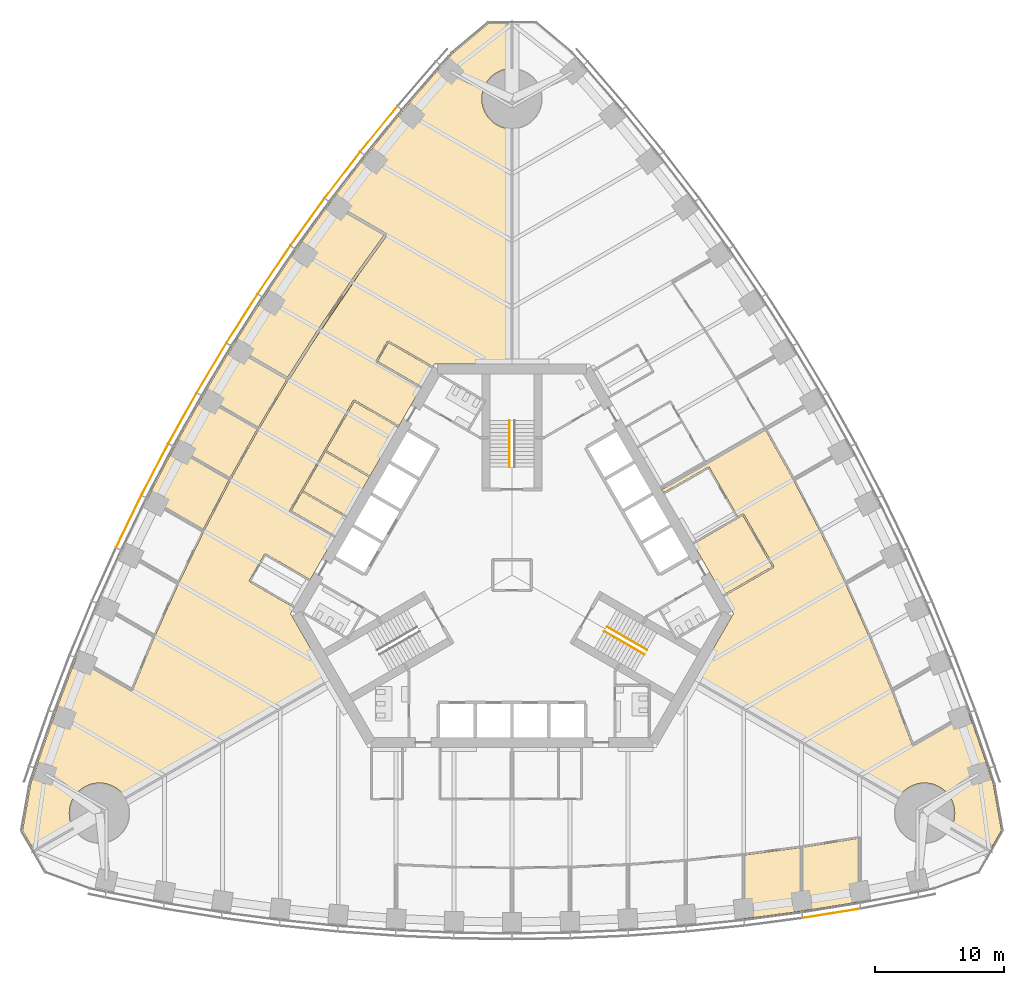
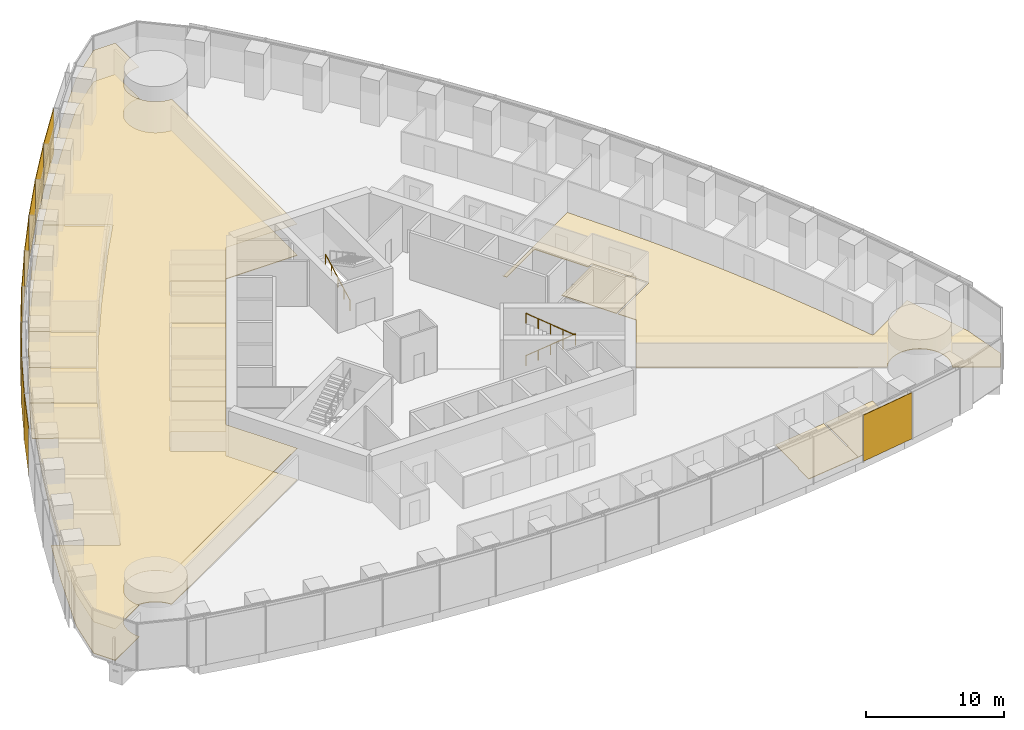
# One storey, part 16 of 19: 14 coverings, 10 shading devices, 3 railings.
"""IFC4 building model written with IfcOpenShell, lengths in metres."""

import ifcopenshell
import ifcopenshell.guid

model = None  # the IFC model being written
_history = None  # IfcOwnerHistory: only IFC2X3 demands one
_inside = {}  # id of a spatial element -> (the spatial element, [elements in it])
_under = {}  # id of a project, library or spatial element -> (it, [spatial elements below it])
_declared = {}  # id of a project -> (the project, [libraries it declares])
_typed = {}  # id of a type object -> (the type object, [elements of that type])
_made_of = {}  # id of a material, layer set ... -> (it, [elements and type objects made of it])


def new_model(schema):
    """Start an empty IFC model of exactly this schema.

    Asked for "IFC4X3", IfcOpenShell would pick the latest addendum, in which some entities
    have other attributes; the version numbers below select the first issue.
    IFC2X3 requires an IfcOwnerHistory on every rooted entity: one is made here for all.
    """
    global model, _history
    if schema == "IFC4X3":
        model = ifcopenshell.file(schema_version=(4, 3, 0, 0))
    else:
        model = ifcopenshell.file(schema=schema)
    _inside.clear()
    _under.clear()
    _declared.clear()
    _typed.clear()
    _made_of.clear()
    _history = None
    if model.schema == "IFC2X3":
        org = make("IfcOrganization", Name="unknown")
        user = make(
            "IfcPersonAndOrganization",
            ThePerson=make("IfcPerson", FamilyName="unknown"),
            TheOrganization=org,
        )
        app = make(
            "IfcApplication",
            ApplicationDeveloper=org,
            Version="unknown",
            ApplicationFullName="unknown",
            ApplicationIdentifier="unknown",
        )
        _history = make(
            "IfcOwnerHistory",
            OwningUser=user,
            OwningApplication=app,
            ChangeAction="ADDED",
            CreationDate=0,
        )
    return model


def make(cls, **values):
    """One entity of the class cls with the attributes given. An attribute that is None is left unset."""
    return model.create_entity(
        cls, **{name: value for name, value in values.items() if value is not None}
    )


def rooted(cls, **values):
    """An entity with a GlobalId (a new one), such as an element, a storey or a relation."""
    return make(cls, GlobalId=ifcopenshell.guid.new(), OwnerHistory=_history, **values)


def si_unit(unit_type, name, prefix=None):
    """IfcSIUnit, for example si_unit("LENGTHUNIT", "METRE", prefix="MILLI")."""
    return make("IfcSIUnit", UnitType=unit_type, Prefix=prefix, Name=name)


def assignment(units):
    """IfcUnitAssignment: the units of a project."""
    return None if units is None else make("IfcUnitAssignment", Units=units)


def point(xyz):
    """IfcCartesianPoint."""
    return None if xyz is None else make("IfcCartesianPoint", Coordinates=xyz)


def direction(xyz):
    """IfcDirection."""
    return None if xyz is None else make("IfcDirection", DirectionRatios=xyz)


def frame(location, z_axis=None, x_axis=None):
    """IfcAxis2Placement3D, a coordinate frame: its origin and axes. An axis left out is left unset."""
    return make(
        "IfcAxis2Placement3D",
        Location=point(location),
        Axis=direction(z_axis),
        RefDirection=direction(x_axis),
    )


def frame_2d(location, x_axis=None):
    """IfcAxis2Placement2D, a coordinate frame in the plane: its origin and x axis."""
    return make(
        "IfcAxis2Placement2D", Location=point(location), RefDirection=direction(x_axis)
    )


def origin():
    """The frame at (0, 0, 0) with its axes left unset."""
    return frame((0.0, 0.0, 0.0))


def origin_2d():
    """The frame at (0, 0) in the plane with its x axis left unset."""
    return frame_2d((0.0, 0.0))


def place(relative_to, where):
    """IfcLocalPlacement: puts the frame where relative to a parent placement (None: the world)."""
    return make(
        "IfcLocalPlacement", PlacementRelTo=relative_to, RelativePlacement=where
    )


def context(
    kind, dimensions, precision=None, world=None, true_north=None, identifier=None
):
    """IfcGeometricRepresentationContext, for example the 3D "Model" context."""
    return make(
        "IfcGeometricRepresentationContext",
        ContextIdentifier=identifier,
        ContextType=kind,
        CoordinateSpaceDimension=dimensions,
        Precision=precision,
        WorldCoordinateSystem=world,
        TrueNorth=true_north,
    )


def subcontext(parent, identifier, kind, view, scale=None):
    """IfcGeometricRepresentationSubContext, for example "Body" below "Model"."""
    return make(
        "IfcGeometricRepresentationSubContext",
        ContextIdentifier=identifier,
        ContextType=kind,
        ParentContext=parent,
        TargetScale=scale,
        TargetView=view,
    )


def project(units=None, contexts=None):
    """IfcProject with its units and contexts."""
    return rooted(
        "IfcProject",
        Name="project",
        RepresentationContexts=contexts,
        UnitsInContext=assignment(units),
    )


def spatial(cls, under=None, at=None, **own):
    """A site, building, storey or space (cls), placed at a placement, below another one or the project."""
    s = rooted(cls, ObjectPlacement=at, **own)
    if under is not None:
        _under.setdefault(under.id(), (under, []))[1].append(s)
    return s


def polyline(points):
    """IfcPolyline through the points."""
    return make("IfcPolyline", Points=[point(p) for p in points])


def profile(cls, at=None, kind="AREA", **sizes):
    """A parametric profile (cls). Its sizes go by their IFC names, for example OverallWidth=200.0."""
    return make(cls, ProfileType=kind, Position=at, **sizes)


def rectangle(**sizes):
    """IfcRectangleProfileDef."""
    return profile("IfcRectangleProfileDef", **sizes)


def circle(**sizes):
    """IfcCircleProfileDef."""
    return profile("IfcCircleProfileDef", **sizes)


def outline(outer, holes=None, kind="AREA"):
    """IfcArbitraryClosedProfileDef: a profile drawn as a closed curve; with holes, ...WithVoids."""
    if holes is None:
        return make("IfcArbitraryClosedProfileDef", ProfileType=kind, OuterCurve=outer)
    return make(
        "IfcArbitraryProfileDefWithVoids",
        ProfileType=kind,
        OuterCurve=outer,
        InnerCurves=holes,
    )


def extrude(swept, where, along, depth):
    """IfcExtrudedAreaSolid: the profile swept, set in the frame where, extruded along a direction by depth."""
    return make(
        "IfcExtrudedAreaSolid",
        SweptArea=swept,
        Position=where,
        ExtrudedDirection=direction(along),
        Depth=depth,
    )


def shape(context_of_items, identifier, shape_type, items):
    """IfcShapeRepresentation: the items that make up one representation, for example the "Body"."""
    return make(
        "IfcShapeRepresentation",
        ContextOfItems=context_of_items,
        RepresentationIdentifier=identifier,
        RepresentationType=shape_type,
        Items=items,
    )


def material(Name=None, Category=None):
    """IfcMaterial."""
    return make("IfcMaterial", Name=Name, Category=Category)


def layer(
    of_material, thickness, ventilated=None, Name=None, Category=None, Priority=None
):
    """IfcMaterialLayer: one layer of a wall or slab, of a material (None: an air gap)."""
    return make(
        "IfcMaterialLayer",
        Material=of_material,
        LayerThickness=thickness,
        IsVentilated=ventilated,
        Name=Name,
        Category=Category,
        Priority=Priority,
    )


def layer_set(layers, Name=None):
    """IfcMaterialLayerSet."""
    return make("IfcMaterialLayerSet", MaterialLayers=layers, LayerSetName=Name)


def made_of(thing, what):
    """Note that an element or type object is made of a material, layer set ...; save() writes the relation."""
    if what is not None:
        _made_of.setdefault(what.id(), (what, []))[1].append(thing)
    return thing


def type_object(cls, material=None, **own):
    """A type object (cls), such as IfcWallType, which elements share."""
    return made_of(rooted(cls, **own), material)


def element(
    cls,
    number,
    at=None,
    inside=None,
    cuts=None,
    type_object=None,
    material=None,
    context=None,
    identifier="Body",
    shape_type=None,
    held_by="IfcProductDefinitionShape",
    body=None,
    shapes=None,
    **own,
):
    """One element of the class cls, such as IfcWall. Its Tag is "e" and its number.

    at: its placement. inside: the storey or other place that contains it. cuts: it is an
    opening in that element (IfcRelVoidsElement). A single representation is given by context,
    identifier, shape_type and body (its items); several are given by shapes. held_by: the class
    of the entity that holds the representations. save() writes the other relations.
    """
    e = rooted(cls, Tag="e%d" % number, ObjectPlacement=at, **own)
    if body is not None:
        shapes = [shape(context, identifier, shape_type, body)]
    if shapes is not None:
        e.Representation = make(held_by, Representations=shapes)
    if inside is not None:
        _inside.setdefault(inside.id(), (inside, []))[1].append(e)
    if cuts is not None:
        rooted(
            "IfcRelVoidsElement", RelatingBuildingElement=cuts, RelatedOpeningElement=e
        )
    if type_object is not None:
        _typed.setdefault(type_object.id(), (type_object, []))[1].append(e)
    return made_of(e, material)


def aggregate(whole, parts):
    """IfcRelAggregates: a whole, such as a stair, and the parts it consists of."""
    return rooted("IfcRelAggregates", RelatingObject=whole, RelatedObjects=parts)


def save(model, path):
    """Write the relations noted so far, then the file.

    IfcRelAggregates (storeys below a building ...), IfcRelContainedInSpatialStructure (elements
    in a storey), IfcRelDefinesByType, IfcRelAssociatesMaterial and IfcRelDeclares: one each for
    every whole, place, type object, material and project.
    """
    for whole, parts in _under.values():
        aggregate(whole, parts)
    for where, things in _inside.values():
        rooted(
            "IfcRelContainedInSpatialStructure",
            RelatedElements=things,
            RelatingStructure=where,
        )
    for kind, things in _typed.values():
        rooted("IfcRelDefinesByType", RelatedObjects=things, RelatingType=kind)
    for what, things in _made_of.values():
        rooted("IfcRelAssociatesMaterial", RelatedObjects=things, RelatingMaterial=what)
    for by, libraries in _declared.values():
        rooted("IfcRelDeclares", RelatingContext=by, RelatedDefinitions=libraries)
    model.write(path)


model = new_model("IFC4")

# Units and contexts
model_context = context("Model", 3, precision=1e-05, world=origin(), true_north=direction((0.0, 1.0)))
body_context = subcontext(model_context, "Body", "Model", "MODEL_VIEW")
ifc_project = project(units=[si_unit("LENGTHUNIT", "METRE"), si_unit("AREAUNIT", "SQUARE_METRE"), si_unit("VOLUMEUNIT", "CUBIC_METRE"), si_unit("PLANEANGLEUNIT", "RADIAN"), si_unit("MASSUNIT", "GRAM", prefix="KILO")], contexts=[model_context])

# Site, building, storey
site_placement = place(None, origin())
site = spatial("IfcSite", under=ifc_project, at=site_placement, CompositionType="ELEMENT")
building_placement = place(site_placement, origin())
building = spatial("IfcBuilding", under=site, at=building_placement, Name="Trefoil Bronze Tower", CompositionType="ELEMENT")
storey_placement = place(building_placement, frame((0.0, 0.0, 20.699951171875)))
storey = spatial("IfcBuildingStorey", under=building, at=storey_placement, Name="L04", CompositionType="ELEMENT", Elevation=20.699951171875)

# Shading devices
ifc_material_1 = material(Name="Perforated bronze sheet", Category="bronze")
ifc_layer_1 = layer(ifc_material_1, 0.0400390625)
ifc_layer_set_1 = layer_set([ifc_layer_1], Name="Bronze solar screen panel")
shading_device_type = type_object("IfcShadingDeviceType", Name="Bronze solar screen panel", PredefinedType="SHUTTER", material=ifc_layer_set_1)
for number, where, z_axis, x_axis, name in (
    (1, (24.836181640625, -26.277099609375, 0.050048828125), (0.0, 0.0, 1.0), (0.987181315145, 0.159602791421, 0.0), "Solar screen CW-A L04 F1 bay 14"),
    (2, (-10.338623046875, 34.6474609375, 0.050048828125), (0.0, 0.0, 1.0), (-0.631810729457, -0.775122701346, 0.0), "Solar screen CW-A L04 F3 bay 3"),
):
    element("IfcShadingDevice", number, at=place(storey_placement, frame(where, z_axis=z_axis, x_axis=x_axis)), inside=storey, type_object=shading_device_type, Name=name, PredefinedType="SHUTTER", context=body_context, shape_type="SweptSolid", body=[
        extrude(rectangle(XDim=4.5283203125, YDim=0.0400390625, at=origin_2d()), origin(), (0.0, 0.0, 1.0), 4.10009765625),
    ])
shading_device_1_placement = place(storey_placement, frame((-13.170166015625, 31.06787109375, 0.050048828125), z_axis=(0.0, 0.0, 1.0), x_axis=(-0.608807670879, -0.793317855515, 0.0)))
element("IfcShadingDevice", 3, at=shading_device_1_placement, inside=storey, type_object=shading_device_type, Name="Solar screen CW-A L04 F3 bay 4", PredefinedType="SHUTTER", context=body_context, shape_type="SweptSolid", body=[
    extrude(rectangle(XDim=4.5087890625, YDim=0.0400390625, at=origin_2d()), origin(), (0.0, 0.0, 1.0), 4.10009765625),
])
shading_device_2_placement = place(storey_placement, frame((-15.88525390625, 27.421142578125, 0.050048828125), z_axis=(0.0, 0.0, 1.0), x_axis=(-0.585372522213, -0.810764460394, 0.0)))
element("IfcShadingDevice", 4, at=shading_device_2_placement, inside=storey, type_object=shading_device_type, Name="Solar screen CW-A L04 F3 bay 5", PredefinedType="SHUTTER", context=body_context, shape_type="SweptSolid", body=[
    extrude(rectangle(XDim=4.493408203125, YDim=0.0400390625, at=origin_2d()), origin(), (0.0, 0.0, 1.0), 4.10009765625),
])
shading_device_3_placement = place(storey_placement, frame((-18.48486328125, 23.707763671875, 0.050048828125), z_axis=(0.0, 0.0, 1.0), x_axis=(-0.56150968077, -0.827470167681, 0.0)))
element("IfcShadingDevice", 5, at=shading_device_3_placement, inside=storey, type_object=shading_device_type, Name="Solar screen CW-A L04 F3 bay 6", PredefinedType="SHUTTER", context=body_context, shape_type="SweptSolid", body=[
    extrude(rectangle(XDim=4.48193359375, YDim=0.0400390625, at=origin_2d()), origin(), (0.0, 0.0, 1.0), 4.10009765625),
])
shading_device_4_placement = place(storey_placement, frame((-20.97021484375, 19.928466796875, 0.050048828125), z_axis=(0.0, 0.0, 1.0), x_axis=(-0.537222392469, -0.843440632783, 0.0)))
element("IfcShadingDevice", 6, at=shading_device_4_placement, inside=storey, type_object=shading_device_type, Name="Solar screen CW-A L04 F3 bay 7", PredefinedType="SHUTTER", context=body_context, shape_type="SweptSolid", body=[
    extrude(rectangle(XDim=4.474365234375, YDim=0.0400390625, at=origin_2d()), origin(), (0.0, 0.0, 1.0), 4.10009765625),
])
for number, where, z_axis, x_axis, name in (
    (7, (-23.341552734375, 16.083251953125, 0.050048828125), (0.0, 0.0, 1.0), (-0.51251279404, -0.858679588639, 0.0), "Solar screen CW-A L04 F3 bay 8"),
    (8, (-25.599365234375, 12.172607421875, 0.050048828125), (0.0, 0.0, 1.0), (-0.487381940453, -0.873188893722, 0.0), "Solar screen CW-A L04 F3 bay 9"),
):
    element("IfcShadingDevice", number, at=place(storey_placement, frame(where, z_axis=z_axis, x_axis=x_axis)), inside=storey, type_object=shading_device_type, Name=name, PredefinedType="SHUTTER", context=body_context, shape_type="SweptSolid", body=[
        extrude(rectangle(XDim=4.470458984375, YDim=0.0400390625, at=origin_2d()), origin(), (0.0, 0.0, 1.0), 4.10009765625),
    ])
shading_device_5_placement = place(storey_placement, frame((-27.74365234375, 8.1962890625, 0.050048828125), z_axis=(0.0, 0.0, 1.0), x_axis=(-0.46182981834, -0.886968555752, 0.0)))
element("IfcShadingDevice", 9, at=shading_device_5_placement, inside=storey, type_object=shading_device_type, Name="Solar screen CW-A L04 F3 bay 10", PredefinedType="SHUTTER", context=body_context, shape_type="SweptSolid", body=[
    extrude(rectangle(XDim=4.474365234375, YDim=0.0400390625, at=origin_2d()), origin(), (0.0, 0.0, 1.0), 4.10009765625),
])
shading_device_6_placement = place(storey_placement, frame((-29.77392578125, 4.154541015625, 0.050048828125), z_axis=(0.0, 0.0, 1.0), x_axis=(-0.4358553457, -0.900016731858, 0.0)))
element("IfcShadingDevice", 10, at=shading_device_6_placement, inside=storey, type_object=shading_device_type, Name="Solar screen CW-A L04 F3 bay 11", PredefinedType="SHUTTER", context=body_context, shape_type="SweptSolid", body=[
    extrude(rectangle(XDim=4.48193359375, YDim=0.0400390625, at=origin_2d()), origin(), (0.0, 0.0, 1.0), 4.10009765625),
])

# Railings
ifc_material_2 = material(Name="Steel handrail", Category="steel")
railing_type = type_object("IfcRailingType", Name="Handrail 900", PredefinedType="HANDRAIL", material=ifc_material_2)
railing_1_placement = place(storey_placement, frame((7.365966796875, -4.021728515625, 0.16162109375)))
element("IfcRailing", 11, at=railing_1_placement, inside=storey, type_object=railing_type, Name="Handrail ST1 flight 1 L04", PredefinedType="HANDRAIL", context=body_context, shape_type="SweptSolid", body=[
    extrude(circle(Radius=0.02392578125, at=origin_2d()), frame((0.0, 0.0, 0.8759765625), z_axis=(0.76250339821, -0.440245697338, 0.474101564745), x_axis=(0.500012057535, 0.866018442252, 0.0)), (0.0, 0.0, 1.0), 4.088623046875),
    extrude(circle(Radius=0.02099609375, at=origin_2d()), origin(), (0.0, 0.0, 1.0), 0.851806640625),
    extrude(circle(Radius=0.02099609375, at=origin_2d()), frame((0.779296875, -0.449951171875, 0.484619140625)), (0.0, 0.0, 1.0), 0.851806640625),
    extrude(circle(Radius=0.02099609375, at=origin_2d()), frame((1.558837890625, -0.89990234375, 0.96923828125)), (0.0, 0.0, 1.0), 0.851806640625),
    extrude(circle(Radius=0.02099609375, at=origin_2d()), frame((2.33837890625, -1.35009765625, 1.453857421875)), (0.0, 0.0, 1.0), 0.851806640625),
    extrude(circle(Radius=0.02099609375, at=origin_2d()), frame((3.11767578125, -1.800048828125, 1.9384765625)), (0.0, 0.0, 1.0), 0.851806640625),
])
railing_2_placement = place(storey_placement, frame((10.28369140625, -6.168212890625, 2.261474609375)))
element("IfcRailing", 12, at=railing_2_placement, inside=storey, type_object=railing_type, Name="Handrail ST1 flight 2 L04", PredefinedType="HANDRAIL", context=body_context, shape_type="SweptSolid", body=[
    extrude(circle(Radius=0.02392578125, at=origin_2d()), frame((0.0, 0.0, 0.8759765625), z_axis=(-0.76250339821, 0.440245697338, 0.474101564745), x_axis=(-0.500012057535, -0.866018442252, 0.0)), (0.0, 0.0, 1.0), 4.088623046875),
    extrude(circle(Radius=0.02099609375, at=origin_2d()), origin(), (0.0, 0.0, 1.0), 0.851806640625),
    extrude(circle(Radius=0.02099609375, at=origin_2d()), frame((-0.779296875, 0.449951171875, 0.484619140625)), (0.0, 0.0, 1.0), 0.851806640625),
    extrude(circle(Radius=0.02099609375, at=origin_2d()), frame((-1.558837890625, 0.89990234375, 0.96923828125)), (0.0, 0.0, 1.0), 0.851806640625),
    extrude(circle(Radius=0.02099609375, at=origin_2d()), frame((-2.33837890625, 1.35009765625, 1.453857421875)), (0.0, 0.0, 1.0), 0.851806640625),
    extrude(circle(Radius=0.02099609375, at=origin_2d()), frame((-3.11767578125, 1.800048828125, 1.9384765625)), (0.0, 0.0, 1.0), 0.851806640625),
])
railing_3_placement = place(storey_placement, frame((-0.199951171875, 8.389892578125, 0.16162109375)))
element("IfcRailing", 13, at=railing_3_placement, inside=storey, type_object=railing_type, Name="Handrail ST2 flight 1 L04", PredefinedType="HANDRAIL", context=body_context, shape_type="SweptSolid", body=[
    extrude(circle(Radius=0.02392578125, at=origin_2d()), frame((0.0, 0.0, 0.8759765625), z_axis=(0.0, 0.880474934443, 0.474092701714), x_axis=(-1.0, 0.0, 0.0)), (0.0, 0.0, 1.0), 4.0888671875),
    extrude(circle(Radius=0.02099609375, at=origin_2d()), origin(), (0.0, 0.0, 1.0), 0.851806640625),
    extrude(circle(Radius=0.02099609375, at=origin_2d()), frame((0.0, 0.89990234375, 0.484619140625)), (0.0, 0.0, 1.0), 0.851806640625),
    extrude(circle(Radius=0.02099609375, at=origin_2d()), frame((0.0, 1.800048828125, 0.96923828125)), (0.0, 0.0, 1.0), 0.851806640625),
    extrude(circle(Radius=0.02099609375, at=origin_2d()), frame((0.0, 2.7001953125, 1.453857421875)), (0.0, 0.0, 1.0), 0.851806640625),
    extrude(circle(Radius=0.02099609375, at=origin_2d()), frame((0.0, 3.60009765625, 1.9384765625)), (0.0, 0.0, 1.0), 0.851806640625),
])

# Coverings
ifc_material_3 = material(Name="Acoustic ceiling panels", Category="mineral fibre")
ifc_layer_2 = layer(ifc_material_3, 0.02001953125)
ifc_layer_set_2 = layer_set([ifc_layer_2], Name="Office ceiling 20")
covering_type_1 = type_object("IfcCoveringType", Name="Office ceiling 20", PredefinedType="CEILING", material=ifc_layer_set_2)
covering_1_placement = place(storey_placement, frame((0.0, 0.0, 2.900146484375)))
element("IfcCovering", 14, at=covering_1_placement, inside=storey, type_object=covering_type_1, Name="Ceiling L04 Open-plan office F3", PredefinedType="CEILING", context=body_context, shape_type="SweptSolid", body=[
    extrude(outline(polyline([(-36.9814453125, -15.021728515625), (-35.47998046875, -10.6923828125), (-33.860107421875, -6.431640625), (-32.123291015625, -2.23828125), (-30.271240234375, 1.888671875), (-28.3046875, 5.949462890625), (-26.224609375, 9.944580078125), (-24.031005859375, 13.87451171875), (-21.724609375, 17.73876953125), (-19.3046875, 21.537841796875), (-16.771240234375, 25.271484375), (-14.123291015625, 28.938720703125), (-11.360107421875, 32.53955078125), (-8.47998046875, 36.072998046875), (-5.4814453125, 39.537841796875), (-4.618896484375, 40.497314453125), (-1.82421875, 42.84228515625), (-0.01611328125, 42.84228515625), (-0.014892578125, 39.349609375), (-0.115234375, 39.34716796875), (-0.230224609375, 39.338623046875), (-0.3447265625, 39.32470703125), (-0.45849609375, 39.3046875), (-0.571044921875, 39.279541015625), (-0.68212890625, 39.248779296875), (-0.791748046875, 39.212646484375), (-0.8994140625, 39.171142578125), (-1.0048828125, 39.12451171875), (-1.10791015625, 39.072509765625), (-1.2080078125, 39.015625), (-1.3056640625, 38.9541015625), (-1.39990234375, 38.887451171875), (-1.49072265625, 38.816650390625), (-1.578125, 38.7412109375), (-1.66162109375, 38.66162109375), (-1.7412109375, 38.578125), (-1.816650390625, 38.49072265625), (-1.887451171875, 38.39990234375), (-1.9541015625, 38.3056640625), (-2.015625, 38.2080078125), (-2.072509765625, 38.10791015625), (-2.12451171875, 38.0048828125), (-2.171142578125, 37.8994140625), (-2.212646484375, 37.791748046875), (-2.248779296875, 37.68212890625), (-2.279541015625, 37.571044921875), (-2.3046875, 37.45849609375), (-2.32470703125, 37.3447265625), (-2.338623046875, 37.230224609375), (-2.34716796875, 37.115234375), (-2.35009765625, 37.0), (-2.34716796875, 36.884765625), (-2.338623046875, 36.769775390625), (-2.32470703125, 36.6552734375), (-2.3046875, 36.54150390625), (-2.279541015625, 36.428955078125), (-2.248779296875, 36.31787109375), (-2.212646484375, 36.208251953125), (-2.171142578125, 36.1005859375), (-2.12451171875, 35.9951171875), (-2.072509765625, 35.89208984375), (-2.015625, 35.7919921875), (-1.9541015625, 35.6943359375), (-1.887451171875, 35.60009765625), (-1.816650390625, 35.50927734375), (-1.7412109375, 35.421875), (-1.66162109375, 35.33837890625), (-1.578125, 35.2587890625), (-1.49072265625, 35.183349609375), (-1.39990234375, 35.112548828125), (-1.3056640625, 35.0458984375), (-1.2080078125, 34.984375), (-1.10791015625, 34.927490234375), (-1.0048828125, 34.87548828125), (-0.8994140625, 34.828857421875), (-0.791748046875, 34.787353515625), (-0.68212890625, 34.751220703125), (-0.571044921875, 34.720458984375), (-0.45849609375, 34.6953125), (-0.3447265625, 34.67529296875), (-0.230224609375, 34.661376953125), (-0.115234375, 34.65283203125), (-0.012939453125, 34.650390625), (-0.006103515625, 16.39990234375), (-6.00439453125, 16.39990234375), (-17.205078125, -3.0), (-14.205810546875, -8.194580078125), (-30.0146484375, -17.31396484375), (-30.02734375, -17.2919921875), (-30.089111328125, -17.1943359375), (-30.155517578125, -17.10009765625), (-30.226318359375, -17.00927734375), (-30.3017578125, -16.921875), (-30.381103515625, -16.83837890625), (-30.46484375, -16.7587890625), (-30.552001953125, -16.683349609375), (-30.64306640625, -16.612548828125), (-30.7373046875, -16.5458984375), (-30.834716796875, -16.484375), (-30.935302734375, -16.427490234375), (-31.0380859375, -16.37548828125), (-31.1435546875, -16.328857421875), (-31.251220703125, -16.287353515625), (-31.36083984375, -16.251220703125), (-31.471923828125, -16.220458984375), (-31.58447265625, -16.1953125), (-31.697998046875, -16.17529296875), (-31.8125, -16.161376953125), (-31.927490234375, -16.15283203125), (-32.04296875, -16.14990234375), (-32.158203125, -16.15283203125), (-32.273193359375, -16.161376953125), (-32.3876953125, -16.17529296875), (-32.50146484375, -16.1953125), (-32.614013671875, -16.220458984375), (-32.72509765625, -16.251220703125), (-32.834716796875, -16.287353515625), (-32.942138671875, -16.328857421875), (-33.047607421875, -16.37548828125), (-33.150634765625, -16.427490234375), (-33.251220703125, -16.484375), (-33.348388671875, -16.5458984375), (-33.44287109375, -16.612548828125), (-33.53369140625, -16.683349609375), (-33.62109375, -16.7587890625), (-33.70458984375, -16.83837890625), (-33.7841796875, -16.921875), (-33.859619140625, -17.00927734375), (-33.930419921875, -17.10009765625), (-33.996826171875, -17.1943359375), (-34.05859375, -17.2919921875), (-34.115478515625, -17.39208984375), (-34.167236328125, -17.4951171875), (-34.214111328125, -17.6005859375), (-34.255615234375, -17.708251953125), (-34.291748046875, -17.81787109375), (-34.322509765625, -17.928955078125), (-34.347900390625, -18.04150390625), (-34.367431640625, -18.1552734375), (-34.381591796875, -18.269775390625), (-34.39013671875, -18.384765625), (-34.392822265625, -18.5), (-34.39013671875, -18.615234375), (-34.381591796875, -18.730224609375), (-34.367431640625, -18.8447265625), (-34.347900390625, -18.95849609375), (-34.322509765625, -19.071044921875), (-34.291748046875, -19.18212890625), (-34.255615234375, -19.291748046875), (-34.214111328125, -19.3994140625), (-34.167236328125, -19.5048828125), (-34.115478515625, -19.60791015625), (-34.084716796875, -19.661865234375), (-37.110595703125, -21.4072265625), (-38.0146484375, -19.841552734375), (-37.381103515625, -16.248779296875), (-36.9814453125, -15.021728515625)])), origin(), (0.0, 0.0, 1.0), 0.02001953125),
])
ifc_material_4 = material(Name="Raised access floor panels", Category="steel")
ifc_layer_3 = layer(ifc_material_4, 0.050048828125)
ifc_layer_set_3 = layer_set([ifc_layer_3], Name="Raised access floor 150")
covering_type_2 = type_object("IfcCoveringType", Name="Raised access floor 150", PredefinedType="FLOORING", material=ifc_layer_set_3)
covering_2_placement = place(storey_placement, frame((0.0, 0.0, 0.10009765625)))
element("IfcCovering", 15, at=covering_2_placement, inside=storey, type_object=covering_type_2, Name="Raised floor L04 Office F1", PredefinedType="FLOORING", context=body_context, shape_type="SweptSolid", body=[
    extrude(outline(polyline([(22.5, -26.10791015625), (18.0, -26.70068359375), (18.0, -25.10986328125), (18.06005859375, -25.10986328125), (18.06005859375, -21.753173828125), (22.43994140625, -21.17626953125), (22.43994140625, -24.510986328125), (22.5, -24.510986328125), (22.5, -26.10791015625)])), origin(), (0.0, 0.0, 1.0), 0.050048828125),
])
covering_3_placement = place(storey_placement, frame((0.0, 0.0, 0.10009765625)))
element("IfcCovering", 16, at=covering_3_placement, inside=storey, type_object=covering_type_2, Name="Raised floor L04 Office F1", PredefinedType="FLOORING", context=body_context, shape_type="SweptSolid", body=[
    extrude(outline(polyline([(27.0, -25.38037109375), (22.5, -26.10791015625), (22.5, -24.510986328125), (22.56005859375, -24.510986328125), (22.56005859375, -21.158935546875), (26.93994140625, -20.45068359375), (26.93994140625, -23.77587890625), (27.0, -23.77587890625), (27.0, -25.38037109375)])), origin(), (0.0, 0.0, 1.0), 0.050048828125),
])
covering_4_placement = place(storey_placement, frame((0.0, 0.0, 0.10009765625)))
element("IfcCovering", 17, at=covering_4_placement, inside=storey, type_object=covering_type_2, Name="Raised floor L04 Reception F2", PredefinedType="FLOORING", context=body_context, shape_type="SweptSolid", body=[
    extrude(outline(polyline([(14.084716796875, 2.404541015625), (17.929931640625, 4.62451171875), (20.219970703125, 0.658203125), (16.374755859375, -1.56201171875), (14.084716796875, 2.404541015625)])), origin(), (0.0, 0.0, 1.0), 0.050048828125),
])
covering_5_placement = place(storey_placement, frame((0.0, 0.0, 0.10009765625)))
element("IfcCovering", 18, at=covering_5_placement, inside=storey, type_object=covering_type_2, Name="Raised floor L04 Open-plan office F2", PredefinedType="FLOORING", context=body_context, shape_type="SweptSolid", body=[
    extrude(outline(polyline([(16.434814453125, -1.665771484375), (20.331787109375, 0.584228515625), (20.302001953125, 0.63623046875), (20.353759765625, 0.666259765625), (18.00390625, 4.736572265625), (17.951904296875, 4.70654296875), (17.921875, 4.75830078125), (17.540771484375, 4.538330078125), (15.32080078125, 8.383544921875), (15.268798828125, 8.353515625), (15.23876953125, 8.405517578125), (11.774658203125, 6.405517578125), (11.605224609375, 6.69921875), (11.614013671875, 6.7041015625), (11.65087890625, 6.639892578125), (19.681884765625, 11.27685546875), (19.826904296875, 11.02587890625), (21.841552734375, 7.416015625), (23.74609375, 3.7587890625), (24.08642578125, 3.080810546875), (25.88671875, -0.63671875), (27.565185546875, -4.376220703125), (27.900390625, -5.15380859375), (29.47412109375, -8.953857421875), (31.09375, -13.2138671875), (31.14990234375, -13.1923828125), (31.179931640625, -13.244384765625), (34.12060546875, -11.546630859375), (34.090576171875, -11.49462890625), (35.47998046875, -10.6923828125), (36.9814453125, -15.021728515625), (37.381103515625, -16.248779296875), (38.0146484375, -19.841552734375), (37.110595703125, -21.4072265625), (34.084716796875, -19.661865234375), (34.115478515625, -19.60791015625), (34.167236328125, -19.5048828125), (34.214111328125, -19.3994140625), (34.255615234375, -19.291748046875), (34.291748046875, -19.18212890625), (34.322509765625, -19.071044921875), (34.347900390625, -18.95849609375), (34.367431640625, -18.8447265625), (34.381591796875, -18.730224609375), (34.39013671875, -18.615234375), (34.392822265625, -18.5), (34.39013671875, -18.384765625), (34.381591796875, -18.269775390625), (34.367431640625, -18.1552734375), (34.347900390625, -18.04150390625), (34.322509765625, -17.928955078125), (34.291748046875, -17.81787109375), (34.255615234375, -17.708251953125), (34.214111328125, -17.6005859375), (34.167236328125, -17.4951171875), (34.115478515625, -17.39208984375), (34.05859375, -17.2919921875), (33.996826171875, -17.1943359375), (33.930419921875, -17.10009765625), (33.859619140625, -17.00927734375), (33.7841796875, -16.921875), (33.70458984375, -16.83837890625), (33.62109375, -16.7587890625), (33.53369140625, -16.683349609375), (33.44287109375, -16.612548828125), (33.348388671875, -16.5458984375), (33.251220703125, -16.484375), (33.150634765625, -16.427490234375), (33.047607421875, -16.37548828125), (32.942138671875, -16.328857421875), (32.834716796875, -16.287353515625), (32.72509765625, -16.251220703125), (32.614013671875, -16.220458984375), (32.50146484375, -16.1953125), (32.3876953125, -16.17529296875), (32.273193359375, -16.161376953125), (32.158203125, -16.15283203125), (32.04296875, -16.14990234375), (31.927490234375, -16.15283203125), (31.8125, -16.161376953125), (31.697998046875, -16.17529296875), (31.58447265625, -16.1953125), (31.471923828125, -16.220458984375), (31.36083984375, -16.251220703125), (31.251220703125, -16.287353515625), (31.1435546875, -16.328857421875), (31.0380859375, -16.37548828125), (30.935302734375, -16.427490234375), (30.834716796875, -16.484375), (30.7373046875, -16.5458984375), (30.64306640625, -16.612548828125), (30.552001953125, -16.683349609375), (30.46484375, -16.7587890625), (30.381103515625, -16.83837890625), (30.3017578125, -16.921875), (30.226318359375, -17.00927734375), (30.155517578125, -17.10009765625), (30.089111328125, -17.1943359375), (30.02734375, -17.2919921875), (30.0146484375, -17.31396484375), (14.205810546875, -8.194580078125), (17.205078125, -3.0), (16.434814453125, -1.665771484375)])), origin(), (0.0, 0.0, 1.0), 0.050048828125),
])
covering_6_placement = place(storey_placement, frame((0.0, 0.0, 0.10009765625)))
element("IfcCovering", 19, at=covering_6_placement, inside=storey, type_object=covering_type_2, Name="Raised floor L04 Project room F3", PredefinedType="FLOORING", context=body_context, shape_type="SweptSolid", body=[
    extrude(outline(polyline([(-11.024658203125, 7.70458984375), (-14.43701171875, 9.674560546875), (-12.246826171875, 13.4677734375), (-8.834716796875, 11.497802734375), (-11.024658203125, 7.70458984375)])), origin(), (0.0, 0.0, 1.0), 0.050048828125),
])
covering_7_placement = place(storey_placement, frame((0.0, 0.0, 0.10009765625)))
element("IfcCovering", 20, at=covering_7_placement, inside=storey, type_object=covering_type_2, Name="Raised floor L04 Meeting room F3", PredefinedType="FLOORING", context=body_context, shape_type="SweptSolid", body=[
    extrude(outline(polyline([(-12.82470703125, 4.5869140625), (-16.23681640625, 6.556884765625), (-14.496826171875, 9.57080078125), (-11.084716796875, 7.6005859375), (-12.82470703125, 4.5869140625)])), origin(), (0.0, 0.0, 1.0), 0.050048828125),
])
covering_8_placement = place(storey_placement, frame((0.0, 0.0, 0.10009765625)))
element("IfcCovering", 21, at=covering_8_placement, inside=storey, type_object=covering_type_2, Name="Raised floor L04 Phone room F3", PredefinedType="FLOORING", context=body_context, shape_type="SweptSolid", body=[
    extrude(outline(polyline([(-13.724609375, 3.028076171875), (-17.136962890625, 4.998046875), (-16.296875, 6.452880859375), (-12.884765625, 4.48291015625), (-13.724609375, 3.028076171875)])), origin(), (0.0, 0.0, 1.0), 0.050048828125),
])
covering_9_placement = place(storey_placement, frame((0.0, 0.0, 0.10009765625)))
element("IfcCovering", 22, at=covering_9_placement, inside=storey, type_object=covering_type_2, Name="Raised floor L04 Phone room F3", PredefinedType="FLOORING", context=body_context, shape_type="SweptSolid", body=[
    extrude(outline(polyline([(-7.024658203125, 14.6328125), (-10.43701171875, 16.602783203125), (-9.596923828125, 18.0576171875), (-6.184814453125, 16.087646484375), (-7.024658203125, 14.6328125)])), origin(), (0.0, 0.0, 1.0), 0.050048828125),
])
covering_10_placement = place(storey_placement, frame((0.0, 0.0, 0.10009765625)))
element("IfcCovering", 23, at=covering_10_placement, inside=storey, type_object=covering_type_2, Name="Raised floor L04 Training room F3", PredefinedType="FLOORING", context=body_context, shape_type="SweptSolid", body=[
    extrude(outline(polyline([(-16.771240234375, 25.271484375), (-14.123291015625, 28.938720703125), (-12.745849609375, 28.143310546875), (-12.7958984375, 28.056884765625), (-9.939208984375, 26.407470703125), (-12.522216796875, 22.829833984375), (-12.441162109375, 22.771484375), (-12.52392578125, 22.827392578125), (-15.057373046875, 19.093994140625), (-14.974609375, 19.037841796875), (-15.05908203125, 19.091552734375), (-17.42724609375, 15.373291015625), (-20.3056640625, 17.03515625), (-20.355712890625, 16.948486328125), (-21.724609375, 17.73876953125), (-19.3046875, 21.537841796875), (-16.771240234375, 25.271484375)])), origin(), (0.0, 0.0, 1.0), 0.050048828125),
])
covering_11_placement = place(storey_placement, frame((0.0, 0.0, 0.10009765625)))
element("IfcCovering", 24, at=covering_11_placement, inside=storey, type_object=covering_type_2, Name="Raised floor L04 Office F3", PredefinedType="FLOORING", context=body_context, shape_type="SweptSolid", body=[
    extrude(outline(polyline([(-24.031005859375, 13.87451171875), (-21.724609375, 17.73876953125), (-20.355712890625, 16.948486328125), (-20.405517578125, 16.86181640625), (-17.49755859375, 15.182861328125), (-19.72216796875, 11.455810546875), (-22.6328125, 13.13623046875), (-22.662841796875, 13.08447265625), (-24.031005859375, 13.87451171875)])), origin(), (0.0, 0.0, 1.0), 0.050048828125),
])
covering_12_placement = place(storey_placement, frame((0.0, 0.0, 0.10009765625)))
element("IfcCovering", 25, at=covering_12_placement, inside=storey, type_object=covering_type_2, Name="Raised floor L04 Office F3", PredefinedType="FLOORING", context=body_context, shape_type="SweptSolid", body=[
    extrude(outline(polyline([(-26.224609375, 9.944580078125), (-24.031005859375, 13.87451171875), (-22.662841796875, 13.08447265625), (-22.69287109375, 13.032470703125), (-19.7822265625, 11.35205078125), (-21.9169921875, 7.527099609375), (-24.82568359375, 9.206298828125), (-24.855712890625, 9.154296875), (-26.224609375, 9.944580078125)])), origin(), (0.0, 0.0, 1.0), 0.050048828125),
])
covering_13_placement = place(storey_placement, frame((0.0, 0.0, 0.10009765625)))
element("IfcCovering", 26, at=covering_13_placement, inside=storey, type_object=covering_type_2, Name="Raised floor L04 Office F3", PredefinedType="FLOORING", context=body_context, shape_type="SweptSolid", body=[
    extrude(outline(polyline([(-28.3046875, 5.949462890625), (-26.224609375, 9.944580078125), (-24.855712890625, 9.154296875), (-24.885498046875, 9.102294921875), (-21.97412109375, 7.42138671875), (-23.998779296875, 3.53271484375), (-26.904052734375, 5.210205078125), (-26.93408203125, 5.158203125), (-28.3046875, 5.949462890625)])), origin(), (0.0, 0.0, 1.0), 0.050048828125),
])
covering_14_placement = place(storey_placement, frame((0.0, 0.0, 0.10009765625)))
element("IfcCovering", 27, at=covering_14_placement, inside=storey, type_object=covering_type_2, Name="Raised floor L04 Open-plan office F3", PredefinedType="FLOORING", context=body_context, shape_type="SweptSolid", body=[
    extrude(outline(polyline([(-35.47998046875, -10.6923828125), (-33.860107421875, -6.431640625), (-32.477294921875, -7.22998046875), (-32.507080078125, -7.281982421875), (-29.56005859375, -8.983642578125), (-29.530029296875, -8.931640625), (-29.474609375, -8.95458984375), (-27.73828125, -4.761962890625), (-25.88671875, -0.63671875), (-23.9208984375, 3.422607421875), (-21.841552734375, 7.416015625), (-19.64892578125, 11.344482421875), (-17.34375, 15.20654296875), (-17.31005859375, 15.18505859375), (-15.46630859375, 18.07958984375), (-11.725341796875, 23.591796875), (-9.712158203125, 26.380126953125), (-9.793212890625, 26.438720703125), (-9.743408203125, 26.525390625), (-12.69580078125, 28.22998046875), (-12.745849609375, 28.143310546875), (-14.123291015625, 28.938720703125), (-11.360107421875, 32.53955078125), (-8.47998046875, 36.072998046875), (-5.4814453125, 39.537841796875), (-4.618896484375, 40.497314453125), (-1.82421875, 42.84228515625), (-0.01611328125, 42.84228515625), (-0.014892578125, 39.349609375), (-0.115234375, 39.34716796875), (-0.230224609375, 39.338623046875), (-0.3447265625, 39.32470703125), (-0.45849609375, 39.3046875), (-0.571044921875, 39.279541015625), (-0.68212890625, 39.248779296875), (-0.791748046875, 39.212646484375), (-0.8994140625, 39.171142578125), (-1.0048828125, 39.12451171875), (-1.10791015625, 39.072509765625), (-1.2080078125, 39.015625), (-1.3056640625, 38.9541015625), (-1.39990234375, 38.887451171875), (-1.49072265625, 38.816650390625), (-1.578125, 38.7412109375), (-1.66162109375, 38.66162109375), (-1.7412109375, 38.578125), (-1.816650390625, 38.49072265625), (-1.887451171875, 38.39990234375), (-1.9541015625, 38.3056640625), (-2.015625, 38.2080078125), (-2.072509765625, 38.10791015625), (-2.12451171875, 38.0048828125), (-2.171142578125, 37.8994140625), (-2.212646484375, 37.791748046875), (-2.248779296875, 37.68212890625), (-2.279541015625, 37.571044921875), (-2.3046875, 37.45849609375), (-2.32470703125, 37.3447265625), (-2.338623046875, 37.230224609375), (-2.34716796875, 37.115234375), (-2.35009765625, 37.0), (-2.34716796875, 36.884765625), (-2.338623046875, 36.769775390625), (-2.32470703125, 36.6552734375), (-2.3046875, 36.54150390625), (-2.279541015625, 36.428955078125), (-2.248779296875, 36.31787109375), (-2.212646484375, 36.208251953125), (-2.171142578125, 36.1005859375), (-2.12451171875, 35.9951171875), (-2.072509765625, 35.89208984375), (-2.015625, 35.7919921875), (-1.9541015625, 35.6943359375), (-1.887451171875, 35.60009765625), (-1.816650390625, 35.50927734375), (-1.7412109375, 35.421875), (-1.66162109375, 35.33837890625), (-1.578125, 35.2587890625), (-1.49072265625, 35.183349609375), (-1.39990234375, 35.112548828125), (-1.3056640625, 35.0458984375), (-1.2080078125, 34.984375), (-1.10791015625, 34.927490234375), (-1.0048828125, 34.87548828125), (-0.8994140625, 34.828857421875), (-0.791748046875, 34.787353515625), (-0.68212890625, 34.751220703125), (-0.571044921875, 34.720458984375), (-0.45849609375, 34.6953125), (-0.3447265625, 34.67529296875), (-0.230224609375, 34.661376953125), (-0.115234375, 34.65283203125), (-0.012939453125, 34.650390625), (-0.006103515625, 16.39990234375), (-6.00439453125, 16.39990234375), (-6.124755859375, 16.191650390625), (-9.5888671875, 18.191650390625), (-9.618896484375, 18.1396484375), (-9.6708984375, 18.169677734375), (-10.57080078125, 16.61083984375), (-10.518798828125, 16.580810546875), (-10.548828125, 16.52880859375), (-7.084716796875, 14.52880859375), (-8.774658203125, 11.601806640625), (-12.23876953125, 13.601806640625), (-12.268798828125, 13.5498046875), (-12.32080078125, 13.57958984375), (-17.270751953125, 5.006103515625), (-17.21875, 4.97607421875), (-17.248779296875, 4.924072265625), (-13.78466796875, 2.924072265625), (-15.6748046875, -0.349365234375), (-19.138916015625, 1.650634765625), (-19.168701171875, 1.5986328125), (-19.220703125, 1.628662109375), (-20.4208984375, -0.449951171875), (-20.368896484375, -0.47998046875), (-20.398681640625, -0.53173828125), (-16.934814453125, -2.53173828125), (-17.205078125, -3.0), (-14.205810546875, -8.194580078125), (-30.0146484375, -17.31396484375), (-30.02734375, -17.2919921875), (-30.089111328125, -17.1943359375), (-30.155517578125, -17.10009765625), (-30.226318359375, -17.00927734375), (-30.3017578125, -16.921875), (-30.381103515625, -16.83837890625), (-30.46484375, -16.7587890625), (-30.552001953125, -16.683349609375), (-30.64306640625, -16.612548828125), (-30.7373046875, -16.5458984375), (-30.834716796875, -16.484375), (-30.935302734375, -16.427490234375), (-31.0380859375, -16.37548828125), (-31.1435546875, -16.328857421875), (-31.251220703125, -16.287353515625), (-31.36083984375, -16.251220703125), (-31.471923828125, -16.220458984375), (-31.58447265625, -16.1953125), (-31.697998046875, -16.17529296875), (-31.8125, -16.161376953125), (-31.927490234375, -16.15283203125), (-32.04296875, -16.14990234375), (-32.158203125, -16.15283203125), (-32.273193359375, -16.161376953125), (-32.3876953125, -16.17529296875), (-32.50146484375, -16.1953125), (-32.614013671875, -16.220458984375), (-32.72509765625, -16.251220703125), (-32.834716796875, -16.287353515625), (-32.942138671875, -16.328857421875), (-33.047607421875, -16.37548828125), (-33.150634765625, -16.427490234375), (-33.251220703125, -16.484375), (-33.348388671875, -16.5458984375), (-33.44287109375, -16.612548828125), (-33.53369140625, -16.683349609375), (-33.62109375, -16.7587890625), (-33.70458984375, -16.83837890625), (-33.7841796875, -16.921875), (-33.859619140625, -17.00927734375), (-33.930419921875, -17.10009765625), (-33.996826171875, -17.1943359375), (-34.05859375, -17.2919921875), (-34.115478515625, -17.39208984375), (-34.167236328125, -17.4951171875), (-34.214111328125, -17.6005859375), (-34.255615234375, -17.708251953125), (-34.291748046875, -17.81787109375), (-34.322509765625, -17.928955078125), (-34.347900390625, -18.04150390625), (-34.367431640625, -18.1552734375), (-34.381591796875, -18.269775390625), (-34.39013671875, -18.384765625), (-34.392822265625, -18.5), (-34.39013671875, -18.615234375), (-34.381591796875, -18.730224609375), (-34.367431640625, -18.8447265625), (-34.347900390625, -18.95849609375), (-34.322509765625, -19.071044921875), (-34.291748046875, -19.18212890625), (-34.255615234375, -19.291748046875), (-34.214111328125, -19.3994140625), (-34.167236328125, -19.5048828125), (-34.115478515625, -19.60791015625), (-34.084716796875, -19.661865234375), (-37.110595703125, -21.4072265625), (-38.0146484375, -19.841552734375), (-37.381103515625, -16.248779296875), (-36.9814453125, -15.021728515625), (-35.47998046875, -10.6923828125)])), origin(), (0.0, 0.0, 1.0), 0.050048828125),
])

save(model, "model.ifc")
